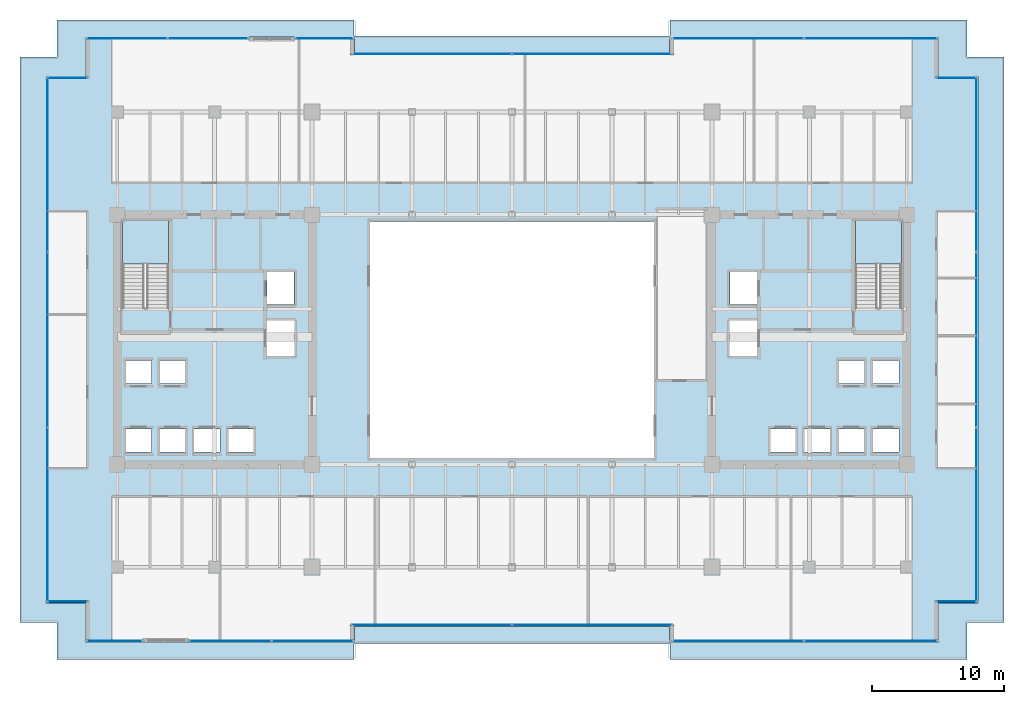
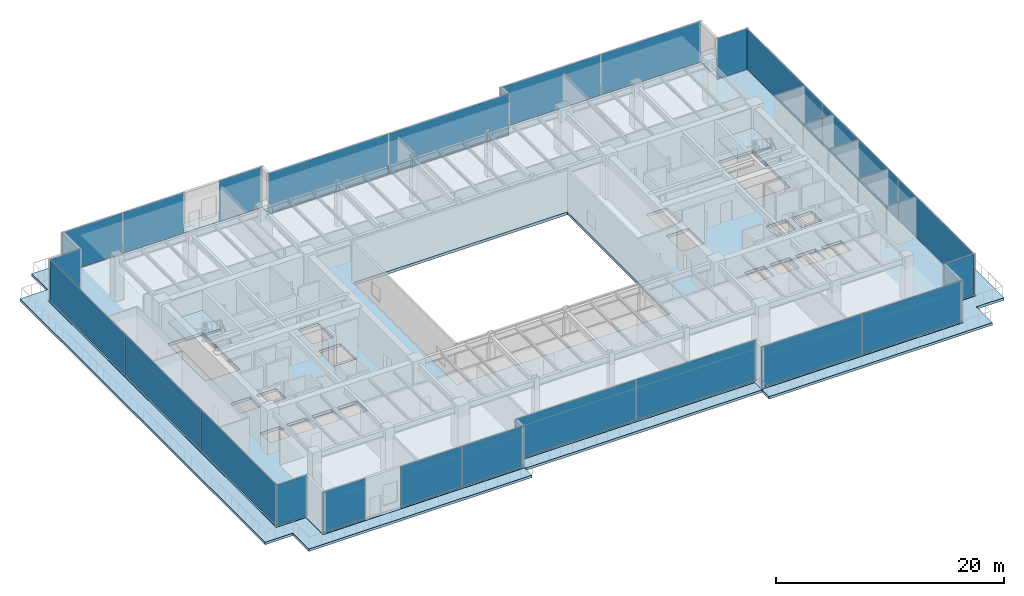
# One storey, part 24 of 33: 24 plates, 4 slabs, 16 elements without a shape of their own.
"""IFC4 building model written with IfcOpenShell, lengths in metres."""

from ifc_helpers import new_model, si_unit, direction, frame, origin, origin_2d, place, context, subcontext, project, spatial, polyline, rectangle, outline, extrude, source, transform, mapped, material, layer, layer_set, type_object, type_shapes, element, aggregate, save


model = new_model("IFC4")

# Units and contexts
model_context = context("Model", 3, precision=1e-05, world=origin(), true_north=direction((0.0, 1.0)))
body_context = subcontext(model_context, "Body", "Model", "MODEL_VIEW")
ifc_project = project(units=[si_unit("LENGTHUNIT", "METRE"), si_unit("AREAUNIT", "SQUARE_METRE"), si_unit("VOLUMEUNIT", "CUBIC_METRE"), si_unit("PLANEANGLEUNIT", "RADIAN"), si_unit("MASSUNIT", "GRAM", prefix="KILO")], contexts=[model_context])

# Site, building, storey
site_placement = place(None, origin())
site = spatial("IfcSite", under=ifc_project, at=site_placement, CompositionType="ELEMENT")
building_placement = place(site_placement, origin())
building = spatial("IfcBuilding", under=site, at=building_placement, Name="Haelvirn Gate Laboratories", CompositionType="ELEMENT")
storey_placement = place(building_placement, frame((0.0, 0.0, 100.300048828125)))
storey = spatial("IfcBuildingStorey", under=building, at=storey_placement, Name="L24", CompositionType="ELEMENT", Elevation=100.300048828125)

# Slab
ifc_material_1 = material(Name="Concrete C40/50", Category="concrete")
ifc_layer_1 = layer(ifc_material_1, 0.27001953125, Name="SL-SETB-270")
ifc_layer_set_1 = layer_set([ifc_layer_1], Name="Concrete C40/50")
slab_type_1 = type_object("IfcSlabType", Name="SL-SETB-270", PredefinedType="ROOF", material=ifc_layer_set_1)
slab_1_placement = place(storey_placement, frame((0.0, 0.0, -0.27001953125)))
element("IfcSlab", 1, at=slab_1_placement, inside=storey, type_object=slab_type_1, Name="L24 Setback Roof Terrace Deck 1", PredefinedType="ROOF", context=body_context, shape_type="SweptSolid", body=[
    extrude(outline(polyline([(2.800048828125, 2.800048828125), (0.0, 2.800048828125), (0.0, 45.800048828125), (2.800048828125, 45.800048828125), (2.800048828125, 48.60009765625), (25.39990234375, 48.60009765625), (25.39990234375, 47.39990234375), (49.39990234375, 47.39990234375), (49.39990234375, 48.60009765625), (72.0, 48.60009765625), (72.0, 45.800048828125), (74.800048828125, 45.800048828125), (74.800048828125, 2.800048828125), (72.0, 2.800048828125), (72.0, 0.0), (49.39990234375, 0.0), (49.39990234375, 1.199951171875), (25.39990234375, 1.199951171875), (25.39990234375, 0.0), (2.800048828125, 0.0), (2.800048828125, 2.800048828125)]), holes=[polyline([(4.97998046875, 1.298095703125), (4.98046875, 1.296142578125), (4.98095703125, 1.294189453125), (4.9814453125, 1.292236328125), (4.982421875, 1.29052734375), (4.9833984375, 1.288818359375), (4.984619140625, 1.287353515625), (4.98583984375, 1.285888671875), (4.9873046875, 1.284423828125), (4.989013671875, 1.283447265625), (4.990478515625, 1.282470703125), (4.9921875, 1.281494140625), (4.994140625, 1.281005859375), (4.99609375, 1.280517578125), (4.998046875, 1.280029296875), (5.0, 1.280029296875), (25.39990234375, 1.280029296875), (25.402099609375, 1.280029296875), (25.40380859375, 1.280517578125), (25.40576171875, 1.281005859375), (25.40771484375, 1.281494140625), (25.409423828125, 1.282470703125), (25.4111328125, 1.283447265625), (25.41259765625, 1.284423828125), (25.4140625, 1.285888671875), (25.41552734375, 1.287353515625), (25.41650390625, 1.288818359375), (25.41748046875, 1.29052734375), (25.41845703125, 1.292236328125), (25.419189453125, 1.294189453125), (25.419677734375, 1.296142578125), (25.419921875, 1.298095703125), (25.419921875, 1.300048828125), (25.419921875, 2.47998046875), (49.3798828125, 2.47998046875), (49.3798828125, 1.300048828125), (49.380126953125, 1.298095703125), (49.38037109375, 1.296142578125), (49.380859375, 1.294189453125), (49.381591796875, 1.292236328125), (49.38232421875, 1.29052734375), (49.38330078125, 1.288818359375), (49.384521484375, 1.287353515625), (49.385986328125, 1.285888671875), (49.38720703125, 1.284423828125), (49.388916015625, 1.283447265625), (49.390625, 1.282470703125), (49.392333984375, 1.281494140625), (49.394287109375, 1.281005859375), (49.39599609375, 1.280517578125), (49.39794921875, 1.280029296875), (49.39990234375, 1.280029296875), (69.800048828125, 1.280029296875), (69.802001953125, 1.280029296875), (69.803955078125, 1.280517578125), (69.805908203125, 1.281005859375), (69.8076171875, 1.281494140625), (69.809326171875, 1.282470703125), (69.81103515625, 1.283447265625), (69.812744140625, 1.284423828125), (69.814208984375, 1.285888671875), (69.8154296875, 1.287353515625), (69.816650390625, 1.288818359375), (69.817626953125, 1.29052734375), (69.818603515625, 1.292236328125), (69.819091796875, 1.294189453125), (69.819580078125, 1.296142578125), (69.81982421875, 1.298095703125), (69.820068359375, 1.300048828125), (69.820068359375, 4.280029296875), (72.800048828125, 4.280029296875), (72.802001953125, 4.280029296875), (72.803955078125, 4.280517578125), (72.805908203125, 4.281005859375), (72.8076171875, 4.281494140625), (72.809326171875, 4.282470703125), (72.81103515625, 4.283447265625), (72.812744140625, 4.284423828125), (72.814208984375, 4.285888671875), (72.8154296875, 4.287353515625), (72.816650390625, 4.288818359375), (72.817626953125, 4.29052734375), (72.818603515625, 4.292236328125), (72.819091796875, 4.294189453125), (72.819580078125, 4.296142578125), (72.81982421875, 4.298095703125), (72.820068359375, 4.300048828125), (72.820068359375, 44.300048828125), (72.81982421875, 44.302001953125), (72.819580078125, 44.303955078125), (72.819091796875, 44.305908203125), (72.818603515625, 44.3076171875), (72.817626953125, 44.309326171875), (72.816650390625, 44.31103515625), (72.8154296875, 44.312744140625), (72.814208984375, 44.314208984375), (72.812744140625, 44.3154296875), (72.81103515625, 44.316650390625), (72.809326171875, 44.317626953125), (72.8076171875, 44.318603515625), (72.805908203125, 44.319091796875), (72.803955078125, 44.319580078125), (72.802001953125, 44.31982421875), (72.800048828125, 44.320068359375), (69.820068359375, 44.320068359375), (69.820068359375, 47.300048828125), (69.81982421875, 47.302001953125), (69.819580078125, 47.303955078125), (69.819091796875, 47.305908203125), (69.818603515625, 47.3076171875), (69.817626953125, 47.309326171875), (69.816650390625, 47.31103515625), (69.8154296875, 47.312744140625), (69.814208984375, 47.314208984375), (69.812744140625, 47.3154296875), (69.81103515625, 47.316650390625), (69.809326171875, 47.317626953125), (69.8076171875, 47.318603515625), (69.805908203125, 47.319091796875), (69.803955078125, 47.319580078125), (69.802001953125, 47.31982421875), (69.800048828125, 47.320068359375), (49.39990234375, 47.320068359375), (49.39794921875, 47.31982421875), (49.39599609375, 47.319580078125), (49.394287109375, 47.319091796875), (49.392333984375, 47.318603515625), (49.390625, 47.317626953125), (49.388916015625, 47.316650390625), (49.38720703125, 47.3154296875), (49.385986328125, 47.314208984375), (49.384521484375, 47.312744140625), (49.38330078125, 47.31103515625), (49.38232421875, 47.309326171875), (49.381591796875, 47.3076171875), (49.380859375, 47.305908203125), (49.38037109375, 47.303955078125), (49.380126953125, 47.302001953125), (49.3798828125, 47.300048828125), (49.3798828125, 46.1201171875), (25.419921875, 46.1201171875), (25.419921875, 47.300048828125), (25.419921875, 47.302001953125), (25.419677734375, 47.303955078125), (25.419189453125, 47.305908203125), (25.41845703125, 47.3076171875), (25.41748046875, 47.309326171875), (25.41650390625, 47.31103515625), (25.41552734375, 47.312744140625), (25.4140625, 47.314208984375), (25.41259765625, 47.3154296875), (25.4111328125, 47.316650390625), (25.409423828125, 47.317626953125), (25.40771484375, 47.318603515625), (25.40576171875, 47.319091796875), (25.40380859375, 47.319580078125), (25.402099609375, 47.31982421875), (25.39990234375, 47.320068359375), (5.0, 47.320068359375), (4.998046875, 47.31982421875), (4.99609375, 47.319580078125), (4.994140625, 47.319091796875), (4.9921875, 47.318603515625), (4.990478515625, 47.317626953125), (4.989013671875, 47.316650390625), (4.9873046875, 47.3154296875), (4.98583984375, 47.314208984375), (4.984619140625, 47.312744140625), (4.9833984375, 47.31103515625), (4.982421875, 47.309326171875), (4.9814453125, 47.3076171875), (4.98095703125, 47.305908203125), (4.98046875, 47.303955078125), (4.97998046875, 47.302001953125), (4.97998046875, 47.300048828125), (4.97998046875, 44.320068359375), (2.0, 44.320068359375), (1.998046875, 44.31982421875), (1.99609375, 44.319580078125), (1.994140625, 44.319091796875), (1.9921875, 44.318603515625), (1.990478515625, 44.317626953125), (1.989013671875, 44.316650390625), (1.9873046875, 44.3154296875), (1.98583984375, 44.314208984375), (1.984619140625, 44.312744140625), (1.9833984375, 44.31103515625), (1.982421875, 44.309326171875), (1.9814453125, 44.3076171875), (1.98095703125, 44.305908203125), (1.98046875, 44.303955078125), (1.97998046875, 44.302001953125), (1.97998046875, 44.300048828125), (1.97998046875, 4.300048828125), (1.97998046875, 4.298095703125), (1.98046875, 4.296142578125), (1.98095703125, 4.294189453125), (1.9814453125, 4.292236328125), (1.982421875, 4.29052734375), (1.9833984375, 4.288818359375), (1.984619140625, 4.287353515625), (1.98583984375, 4.285888671875), (1.9873046875, 4.284423828125), (1.989013671875, 4.283447265625), (1.990478515625, 4.282470703125), (1.9921875, 4.281494140625), (1.994140625, 4.281005859375), (1.99609375, 4.280517578125), (1.998046875, 4.280029296875), (2.0, 4.280029296875), (4.97998046875, 4.280029296875), (4.97998046875, 1.300048828125), (4.97998046875, 1.298095703125)])]), origin(), (0.0, 0.0, 1.0), 0.27001953125),
])

# Stair, slab
stair_type = type_object("IfcStairType", Name="ST-DOG-1650-R26", PredefinedType="HALF_TURN_STAIR", material=ifc_material_1)
stair_1_placement = place(storey_placement, origin())
stair_1 = element("IfcStair", 2, at=stair_1_placement, inside=storey, type_object=stair_type, Name="L24 Escape Stair ST1", PredefinedType="HALF_TURN_STAIR")
ifc_layer_2 = layer(ifc_material_1, 0.199951171875, Name="SL-STAIR-LND")
ifc_layer_set_2 = layer_set([ifc_layer_2], Name="Concrete C40/50")
slab_type_2 = type_object("IfcSlabType", Name="SL-STAIR-LND", PredefinedType="LANDING", material=ifc_layer_set_2)
slab_2_placement = place(storey_placement, frame((0.0, 0.0, 2.199951171875)))
slab_2 = element("IfcSlab", 3, at=slab_2_placement, type_object=slab_type_2, Name="ST1 landing 1", PredefinedType="LANDING", context=body_context, shape_type="SweptSolid", body=[
    extrude(outline(polyline([(11.300048828125, 30.06005859375), (11.300048828125, 33.35009765625), (7.800048828125, 33.35009765625), (7.800048828125, 30.06005859375), (11.300048828125, 30.06005859375)])), origin(), (0.0, 0.0, 1.0), 0.199951171875),
])
aggregate(stair_1, [slab_2])

stair_2_placement = place(storey_placement, origin())
stair_2 = element("IfcStair", 4, at=stair_2_placement, inside=storey, type_object=stair_type, Name="L24 Escape Stair ST2", PredefinedType="HALF_TURN_STAIR")
slab_3_placement = place(storey_placement, frame((0.0, 0.0, 2.199951171875)))
slab_3 = element("IfcSlab", 5, at=slab_3_placement, type_object=slab_type_2, Name="ST2 landing 1", PredefinedType="LANDING", context=body_context, shape_type="SweptSolid", body=[
    extrude(outline(polyline([(67.0, 30.06005859375), (67.0, 33.35009765625), (63.5, 33.35009765625), (63.5, 30.06005859375), (67.0, 30.06005859375)])), origin(), (0.0, 0.0, 1.0), 0.199951171875),
])
aggregate(stair_2, [slab_3])

# Slab
ifc_layer_3 = layer(ifc_material_1, 0.31005859375, Name="SL-Z2-310")
ifc_layer_set_3 = layer_set([ifc_layer_3], Name="Concrete C40/50")
slab_type_3 = type_object("IfcSlabType", Name="SL-Z2-310", PredefinedType="FLOOR", material=ifc_layer_set_3)
slab_4_placement = place(storey_placement, frame((0.0, 0.0, -0.31005859375)))
element("IfcSlab", 6, at=slab_4_placement, inside=storey, type_object=slab_type_3, Name="L24 Structural Slab MAIN", PredefinedType="FLOOR", context=body_context, shape_type="SweptSolid", body=[
    extrude(outline(polyline([(5.0, 1.300048828125), (25.39990234375, 1.300048828125), (25.39990234375, 2.5), (49.39990234375, 2.5), (49.39990234375, 1.300048828125), (69.800048828125, 1.300048828125), (69.800048828125, 4.300048828125), (72.800048828125, 4.300048828125), (72.800048828125, 44.300048828125), (69.800048828125, 44.300048828125), (69.800048828125, 47.300048828125), (49.39990234375, 47.300048828125), (49.39990234375, 46.10009765625), (25.39990234375, 46.10009765625), (25.39990234375, 47.300048828125), (5.0, 47.300048828125), (5.0, 44.300048828125), (2.0, 44.300048828125), (2.0, 4.300048828125), (5.0, 4.300048828125), (5.0, 1.300048828125)]), holes=[polyline([(26.60009765625, 15.300048828125), (48.199951171875, 15.300048828125), (48.199951171875, 33.300048828125), (26.60009765625, 33.300048828125), (26.60009765625, 15.300048828125)]), polyline([(11.300048828125, 26.780029296875), (11.300048828125, 33.35009765625), (7.800048828125, 33.35009765625), (7.800048828125, 26.780029296875), (11.300048828125, 26.780029296875)]), polyline([(67.0, 26.780029296875), (67.0, 33.35009765625), (63.5, 33.35009765625), (63.5, 26.780029296875), (67.0, 26.780029296875)]), polyline([(7.989990234375, 15.77001953125), (10.010009765625, 15.77001953125), (10.010009765625, 17.510009765625), (7.989990234375, 17.510009765625), (7.989990234375, 15.77001953125)]), polyline([(10.590087890625, 15.77001953125), (12.610107421875, 15.77001953125), (12.610107421875, 17.510009765625), (10.590087890625, 17.510009765625), (10.590087890625, 15.77001953125)]), polyline([(13.18994140625, 15.77001953125), (15.2099609375, 15.77001953125), (15.2099609375, 17.510009765625), (13.18994140625, 17.510009765625), (13.18994140625, 15.77001953125)]), polyline([(15.7900390625, 15.77001953125), (17.81005859375, 15.77001953125), (17.81005859375, 17.510009765625), (15.7900390625, 17.510009765625), (15.7900390625, 15.77001953125)]), polyline([(7.989990234375, 20.969970703125), (10.010009765625, 20.969970703125), (10.010009765625, 22.7099609375), (7.989990234375, 22.7099609375), (7.989990234375, 20.969970703125)]), polyline([(10.590087890625, 20.969970703125), (12.610107421875, 20.969970703125), (12.610107421875, 22.7099609375), (10.590087890625, 22.7099609375), (10.590087890625, 20.969970703125)]), polyline([(18.7900390625, 26.969970703125), (20.81005859375, 26.969970703125), (20.81005859375, 29.510009765625), (18.7900390625, 29.510009765625), (18.7900390625, 26.969970703125)]), polyline([(18.68994140625, 23.070068359375), (20.909912109375, 23.070068359375), (20.909912109375, 25.81005859375), (18.68994140625, 25.81005859375), (18.68994140625, 23.070068359375)]), polyline([(64.7900390625, 15.77001953125), (66.81005859375, 15.77001953125), (66.81005859375, 17.510009765625), (64.7900390625, 17.510009765625), (64.7900390625, 15.77001953125)]), polyline([(62.18994140625, 15.77001953125), (64.2099609375, 15.77001953125), (64.2099609375, 17.510009765625), (62.18994140625, 17.510009765625), (62.18994140625, 15.77001953125)]), polyline([(59.590087890625, 15.77001953125), (61.610107421875, 15.77001953125), (61.610107421875, 17.510009765625), (59.590087890625, 17.510009765625), (59.590087890625, 15.77001953125)]), polyline([(56.989990234375, 15.77001953125), (59.010009765625, 15.77001953125), (59.010009765625, 17.510009765625), (56.989990234375, 17.510009765625), (56.989990234375, 15.77001953125)]), polyline([(64.7900390625, 20.969970703125), (66.81005859375, 20.969970703125), (66.81005859375, 22.7099609375), (64.7900390625, 22.7099609375), (64.7900390625, 20.969970703125)]), polyline([(62.18994140625, 20.969970703125), (64.2099609375, 20.969970703125), (64.2099609375, 22.7099609375), (62.18994140625, 22.7099609375), (62.18994140625, 20.969970703125)]), polyline([(53.989990234375, 26.969970703125), (56.010009765625, 26.969970703125), (56.010009765625, 29.510009765625), (53.989990234375, 29.510009765625), (53.989990234375, 26.969970703125)]), polyline([(53.889892578125, 23.070068359375), (56.110107421875, 23.070068359375), (56.110107421875, 25.81005859375), (53.889892578125, 25.81005859375), (53.889892578125, 23.070068359375)])]), origin(), (0.0, 0.0, 1.0), 0.31005859375),
])

# Curtain wall, plate
ifc_material_2 = material(Name="Anodised bronze unitised aluminium & triple low-E glass", Category="aluminium")
ifc_layer_4 = layer(ifc_material_2, 0.179931640625, Name="CW-SYS-3")
ifc_layer_set_4 = layer_set([ifc_layer_4], Name="Anodised bronze unitised aluminium & triple low-E glass")
curtain_wall_type_1 = type_object("IfcCurtainWallType", Name="CW-SYS-3", PredefinedType="NOTDEFINED", material=ifc_layer_set_4)
curtain_wall_1_placement = place(storey_placement, origin())
curtain_wall_1 = element("IfcCurtainWall", 7, at=curtain_wall_1_placement, inside=storey, type_object=curtain_wall_type_1, Name="L24 Unitised Curtain Wall CW-L24-P0-E00-1", PredefinedType="NOTDEFINED")
ifc_material_3 = material(Name="High-selectivity bronze triple IGU 40 mm", Category="glass")
ifc_layer_5 = layer(ifc_material_3, 0.0400390625, Name="CWP-IGU-40")
ifc_layer_set_5 = layer_set([ifc_layer_5], Name="High-selectivity bronze triple IGU 40 mm")
plate_type_1 = type_object("IfcPlateType", Name="CWP-IGU-40", PredefinedType="CURTAIN_PANEL", material=ifc_layer_set_5)
shared_shape_1 = source(origin(), body_context, "Body", "SweptSolid", [
    extrude(rectangle(XDim=4.219970703125, YDim=0.0400390625, at=origin_2d()), origin(), (0.0, 0.0, 1.0), 4.360107421875),
])
plate_1_placement = place(storey_placement, frame((7.18505859375, 1.39990234375, 0.06494140625), z_axis=(0.0, 0.0, 1.0), x_axis=(1.0, 0.0, 0.0)))
plate_1 = element("IfcPlate", 8, at=plate_1_placement, type_object=plate_type_1, Name="CW3 panel 1.1", PredefinedType="CURTAIN_PANEL", context=body_context, shape_type="MappedRepresentation", body=[
    mapped(shared_shape_1, transform((0.0, 0.0, 0.0), scale=1.0)),
])
aggregate(curtain_wall_1, [plate_1])

# Curtain wall, plates
curtain_wall_2_placement = place(storey_placement, origin())
curtain_wall_2 = element("IfcCurtainWall", 9, at=curtain_wall_2_placement, inside=storey, type_object=curtain_wall_type_1, Name="L24 Unitised Curtain Wall CW-L24-P0-E00-2", PredefinedType="NOTDEFINED")
shared_shape_2 = source(origin(), body_context, "Body", "SweptSolid", [
    extrude(rectangle(XDim=6.1826171875, YDim=0.0400390625, at=origin_2d()), origin(), (0.0, 0.0, 1.0), 4.360107421875),
])
plate_2_placement = place(storey_placement, frame((15.976318359375, 1.39990234375, 0.06494140625), z_axis=(0.0, 0.0, 1.0), x_axis=(1.0, 0.0, 0.0)))
plate_2 = element("IfcPlate", 10, at=plate_2_placement, type_object=plate_type_1, Name="CW3 panel 1.1", PredefinedType="CURTAIN_PANEL", context=body_context, shape_type="MappedRepresentation", body=[
    mapped(shared_shape_2, transform((0.0, 0.0, 0.0), scale=1.0)),
])
plate_3_placement = place(storey_placement, frame((22.233642578125, 1.39990234375, 0.06494140625), z_axis=(0.0, 0.0, 1.0), x_axis=(1.0, 0.0, 0.0)))
plate_3 = element("IfcPlate", 11, at=plate_3_placement, type_object=plate_type_1, Name="CW3 panel 2.1", PredefinedType="CURTAIN_PANEL", context=body_context, shape_type="MappedRepresentation", body=[
    mapped(shared_shape_2, transform((0.0, 0.0, 0.0), scale=1.0)),
])
aggregate(curtain_wall_2, [plate_2, plate_3])

curtain_wall_3_placement = place(storey_placement, origin())
curtain_wall_3 = element("IfcCurtainWall", 12, at=curtain_wall_3_placement, inside=storey, type_object=curtain_wall_type_1, Name="L24 Unitised Curtain Wall CW-L24-P0-E02-1", PredefinedType="NOTDEFINED")
shared_shape_3 = source(origin(), body_context, "Body", "SweptSolid", [
    extrude(rectangle(XDim=12.12744140625, YDim=0.0400390625, at=origin_2d()), origin(), (0.0, 0.0, 1.0), 4.360107421875),
])
plate_4_placement = place(storey_placement, frame((31.298828125, 2.60009765625, 0.06494140625), z_axis=(0.0, 0.0, 1.0), x_axis=(1.0, 0.0, 0.0)))
plate_4 = element("IfcPlate", 13, at=plate_4_placement, type_object=plate_type_1, Name="CW3 panel 1.1", PredefinedType="CURTAIN_PANEL", context=body_context, shape_type="MappedRepresentation", body=[
    mapped(shared_shape_3, transform((0.0, 0.0, 0.0), scale=1.0)),
])
plate_5_placement = place(storey_placement, frame((43.501220703125, 2.60009765625, 0.06494140625), z_axis=(0.0, 0.0, 1.0), x_axis=(1.0, 0.0, 0.0)))
plate_5 = element("IfcPlate", 14, at=plate_5_placement, type_object=plate_type_1, Name="CW3 panel 2.1", PredefinedType="CURTAIN_PANEL", context=body_context, shape_type="MappedRepresentation", body=[
    mapped(shared_shape_3, transform((0.0, 0.0, 0.0), scale=1.0)),
])
aggregate(curtain_wall_3, [plate_4, plate_5])

curtain_wall_4_placement = place(storey_placement, origin())
curtain_wall_4 = element("IfcCurtainWall", 15, at=curtain_wall_4_placement, inside=storey, type_object=curtain_wall_type_1, Name="L24 Unitised Curtain Wall CW-L24-P0-E12-1", PredefinedType="NOTDEFINED")
plate_6_placement = place(storey_placement, frame((31.298828125, 46.0, 0.06494140625), z_axis=(0.0, 0.0, 1.0), x_axis=(1.0, 0.0, 0.0)))
plate_6 = element("IfcPlate", 16, at=plate_6_placement, type_object=plate_type_1, Name="CW3 panel 1.1", PredefinedType="CURTAIN_PANEL", context=body_context, shape_type="MappedRepresentation", body=[
    mapped(shared_shape_3, transform((0.0, 0.0, 0.0), scale=1.0)),
])
plate_7_placement = place(storey_placement, frame((43.501220703125, 46.0, 0.06494140625), z_axis=(0.0, 0.0, 1.0), x_axis=(1.0, 0.0, 0.0)))
plate_7 = element("IfcPlate", 17, at=plate_7_placement, type_object=plate_type_1, Name="CW3 panel 2.1", PredefinedType="CURTAIN_PANEL", context=body_context, shape_type="MappedRepresentation", body=[
    mapped(shared_shape_3, transform((0.0, 0.0, 0.0), scale=1.0)),
])
aggregate(curtain_wall_4, [plate_6, plate_7])

curtain_wall_5_placement = place(storey_placement, origin())
curtain_wall_5 = element("IfcCurtainWall", 18, at=curtain_wall_5_placement, inside=storey, type_object=curtain_wall_type_1, Name="L24 Unitised Curtain Wall CW-L24-P0-E04-1", PredefinedType="NOTDEFINED")
shared_shape_4 = source(origin(), body_context, "Body", "SweptSolid", [
    extrude(rectangle(XDim=10.08740234375, YDim=0.0400390625, at=origin_2d()), origin(), (0.0, 0.0, 1.0), 4.360107421875),
])
plate_8_placement = place(storey_placement, frame((54.518798828125, 1.39990234375, 0.06494140625), z_axis=(0.0, 0.0, 1.0), x_axis=(1.0, 0.0, 0.0)))
plate_8 = element("IfcPlate", 19, at=plate_8_placement, type_object=plate_type_1, Name="CW3 panel 1.1", PredefinedType="CURTAIN_PANEL", context=body_context, shape_type="MappedRepresentation", body=[
    mapped(shared_shape_4, transform((0.0, 0.0, 0.0), scale=1.0)),
])
plate_9_placement = place(storey_placement, frame((64.68115234375, 1.39990234375, 0.06494140625), z_axis=(0.0, 0.0, 1.0), x_axis=(1.0, 0.0, 0.0)))
plate_9 = element("IfcPlate", 20, at=plate_9_placement, type_object=plate_type_1, Name="CW3 panel 2.1", PredefinedType="CURTAIN_PANEL", context=body_context, shape_type="MappedRepresentation", body=[
    mapped(shared_shape_4, transform((0.0, 0.0, 0.0), scale=1.0)),
])
aggregate(curtain_wall_5, [plate_8, plate_9])

curtain_wall_6_placement = place(storey_placement, origin())
curtain_wall_6 = element("IfcCurtainWall", 21, at=curtain_wall_6_placement, inside=storey, type_object=curtain_wall_type_1, Name="L24 Unitised Curtain Wall CW-L24-P0-E10-1", PredefinedType="NOTDEFINED")
plate_10_placement = place(storey_placement, frame((54.518798828125, 47.199951171875, 0.06494140625), z_axis=(0.0, 0.0, 1.0), x_axis=(1.0, 0.0, 0.0)))
plate_10 = element("IfcPlate", 22, at=plate_10_placement, type_object=plate_type_1, Name="CW3 panel 1.1", PredefinedType="CURTAIN_PANEL", context=body_context, shape_type="MappedRepresentation", body=[
    mapped(shared_shape_4, transform((0.0, 0.0, 0.0), scale=1.0)),
])
plate_11_placement = place(storey_placement, frame((64.68115234375, 47.199951171875, 0.06494140625), z_axis=(0.0, 0.0, 1.0), x_axis=(1.0, 0.0, 0.0)))
plate_11 = element("IfcPlate", 23, at=plate_11_placement, type_object=plate_type_1, Name="CW3 panel 2.1", PredefinedType="CURTAIN_PANEL", context=body_context, shape_type="MappedRepresentation", body=[
    mapped(shared_shape_4, transform((0.0, 0.0, 0.0), scale=1.0)),
])
aggregate(curtain_wall_6, [plate_10, plate_11])

# Curtain wall, plate
ifc_layer_6 = layer(ifc_material_2, 0.181884765625, Name="CW-SYS-5")
ifc_layer_set_6 = layer_set([ifc_layer_6], Name="Anodised bronze unitised aluminium & triple low-E glass")
curtain_wall_type_2 = type_object("IfcCurtainWallType", Name="CW-SYS-5", PredefinedType="NOTDEFINED", material=ifc_layer_set_6)
curtain_wall_7_placement = place(storey_placement, origin())
curtain_wall_7 = element("IfcCurtainWall", 24, at=curtain_wall_7_placement, inside=storey, type_object=curtain_wall_type_2, Name="L24 Unitised Curtain Wall CW-L24-P0-E06-1", PredefinedType="NOTDEFINED")
ifc_material_4 = material(Name="Clear low-iron notched-corner triple IGU 42 mm", Category="glass")
ifc_layer_7 = layer(ifc_material_4, 0.0419921875, Name="CWP-NTC-42")
ifc_layer_set_7 = layer_set([ifc_layer_7], Name="Clear low-iron notched-corner triple IGU 42 mm")
plate_type_2 = type_object("IfcPlateType", Name="CWP-NTC-42", PredefinedType="CURTAIN_PANEL", material=ifc_layer_set_7)
shared_shape_5 = source(origin(), body_context, "Body", "SweptSolid", [
    extrude(rectangle(XDim=3.080078125, YDim=0.0419921875, at=origin_2d()), origin(), (0.0, 0.0, 1.0), 4.360107421875),
])
type_shapes(plate_type_2, [shared_shape_5])
plate_12_placement = place(storey_placement, frame((71.179931640625, 4.39990234375, 0.06494140625), z_axis=(0.0, 0.0, 1.0), x_axis=(1.0, 0.0, 0.0)))
plate_12 = element("IfcPlate", 25, at=plate_12_placement, type_object=plate_type_2, Name="CW5 panel 1.1", PredefinedType="CURTAIN_PANEL", context=body_context, shape_type="MappedRepresentation", body=[
    mapped(shared_shape_5, transform((0.0, 0.0, 0.0), scale=1.0)),
])
aggregate(curtain_wall_7, [plate_12])

curtain_wall_8_placement = place(storey_placement, origin())
curtain_wall_8 = element("IfcCurtainWall", 26, at=curtain_wall_8_placement, inside=storey, type_object=curtain_wall_type_2, Name="L24 Unitised Curtain Wall CW-L24-P0-E08-1", PredefinedType="NOTDEFINED")
plate_13_placement = place(storey_placement, frame((71.179931640625, 44.199951171875, 0.06494140625), z_axis=(0.0, 0.0, 1.0), x_axis=(1.0, 0.0, 0.0)))
plate_13 = element("IfcPlate", 27, at=plate_13_placement, type_object=plate_type_2, Name="CW5 panel 1.1", PredefinedType="CURTAIN_PANEL", context=body_context, shape_type="MappedRepresentation", body=[
    mapped(shared_shape_5, transform((0.0, 0.0, 0.0), scale=1.0)),
])
aggregate(curtain_wall_8, [plate_13])

curtain_wall_9_placement = place(storey_placement, origin())
curtain_wall_9 = element("IfcCurtainWall", 28, at=curtain_wall_9_placement, inside=storey, type_object=curtain_wall_type_2, Name="L24 Unitised Curtain Wall CW-L24-P0-E16-1", PredefinedType="NOTDEFINED")
plate_14_placement = place(storey_placement, frame((3.6201171875, 44.199951171875, 0.06494140625), z_axis=(0.0, 0.0, 1.0), x_axis=(1.0, 0.0, 0.0)))
plate_14 = element("IfcPlate", 29, at=plate_14_placement, type_object=plate_type_2, Name="CW5 panel 1.1", PredefinedType="CURTAIN_PANEL", context=body_context, shape_type="MappedRepresentation", body=[
    mapped(shared_shape_5, transform((0.0, 0.0, 0.0), scale=1.0)),
])
aggregate(curtain_wall_9, [plate_14])

curtain_wall_10_placement = place(storey_placement, origin())
curtain_wall_10 = element("IfcCurtainWall", 30, at=curtain_wall_10_placement, inside=storey, type_object=curtain_wall_type_2, Name="L24 Unitised Curtain Wall CW-L24-P0-E18-1", PredefinedType="NOTDEFINED")
plate_15_placement = place(storey_placement, frame((3.6201171875, 4.39990234375, 0.06494140625), z_axis=(0.0, 0.0, 1.0), x_axis=(1.0, 0.0, 0.0)))
plate_15 = element("IfcPlate", 31, at=plate_15_placement, type_object=plate_type_2, Name="CW5 panel 1.1", PredefinedType="CURTAIN_PANEL", context=body_context, shape_type="MappedRepresentation", body=[
    mapped(shared_shape_5, transform((0.0, 0.0, 0.0), scale=1.0)),
])
aggregate(curtain_wall_10, [plate_15])

# Curtain wall, plates
curtain_wall_11_placement = place(storey_placement, origin())
curtain_wall_11 = element("IfcCurtainWall", 32, at=curtain_wall_11_placement, inside=storey, type_object=curtain_wall_type_1, Name="L24 Unitised Curtain Wall CW-L24-P0-E07", PredefinedType="NOTDEFINED")
shared_shape_6 = source(origin(), body_context, "Body", "SweptSolid", [
    extrude(rectangle(XDim=13.220947265625, YDim=0.0400390625, at=origin_2d()), origin(), (0.0, 0.0, 1.0), 4.360107421875),
])
plate_16_placement = place(storey_placement, frame((72.699951171875, 10.9853515625, 0.06494140625), z_axis=(0.0, 0.0, 1.0), x_axis=(0.0, 1.0, 0.0)))
plate_16 = element("IfcPlate", 33, at=plate_16_placement, type_object=plate_type_1, Name="CW3 panel 1.1", PredefinedType="CURTAIN_PANEL", context=body_context, shape_type="MappedRepresentation", body=[
    mapped(shared_shape_6, transform((0.0, 0.0, 0.0), scale=1.0)),
])
plate_17_placement = place(storey_placement, frame((72.699951171875, 37.614501953125, 0.06494140625), z_axis=(0.0, 0.0, 1.0), x_axis=(0.0, 1.0, 0.0)))
plate_17 = element("IfcPlate", 34, at=plate_17_placement, type_object=plate_type_1, Name="CW3 panel 3.1", PredefinedType="CURTAIN_PANEL", context=body_context, shape_type="MappedRepresentation", body=[
    mapped(shared_shape_6, transform((0.0, 0.0, 0.0), scale=1.0)),
])

curtain_wall_12_placement = place(storey_placement, origin())
curtain_wall_12 = element("IfcCurtainWall", 35, at=curtain_wall_12_placement, inside=storey, type_object=curtain_wall_type_1, Name="L24 Unitised Curtain Wall CW-L24-P0-E17", PredefinedType="NOTDEFINED")
plate_18_placement = place(storey_placement, frame((2.10009765625, 37.614501953125, 0.06494140625), z_axis=(0.0, 0.0, 1.0), x_axis=(0.0, -1.0, 0.0)))
plate_18 = element("IfcPlate", 36, at=plate_18_placement, type_object=plate_type_1, Name="CW3 panel 1.1", PredefinedType="CURTAIN_PANEL", context=body_context, shape_type="MappedRepresentation", body=[
    mapped(shared_shape_6, transform((0.0, 0.0, 0.0), scale=1.0)),
])
plate_19_placement = place(storey_placement, frame((2.10009765625, 10.9853515625, 0.06494140625), z_axis=(0.0, 0.0, 1.0), x_axis=(0.0, -1.0, 0.0)))
plate_19 = element("IfcPlate", 37, at=plate_19_placement, type_object=plate_type_1, Name="CW3 panel 3.1", PredefinedType="CURTAIN_PANEL", context=body_context, shape_type="MappedRepresentation", body=[
    mapped(shared_shape_6, transform((0.0, 0.0, 0.0), scale=1.0)),
])

# Plate
shared_shape_7 = source(origin(), body_context, "Body", "SweptSolid", [
    extrude(rectangle(XDim=13.25830078125, YDim=0.0400390625, at=origin_2d()), origin(), (0.0, 0.0, 1.0), 4.360107421875),
])
plate_20_placement = place(storey_placement, frame((72.699951171875, 24.300048828125, 0.06494140625), z_axis=(0.0, 0.0, 1.0), x_axis=(0.0, 1.0, 0.0)))
plate_20 = element("IfcPlate", 38, at=plate_20_placement, type_object=plate_type_1, Name="CW3 panel 2.1", PredefinedType="CURTAIN_PANEL", context=body_context, shape_type="MappedRepresentation", body=[
    mapped(shared_shape_7, transform((0.0, 0.0, 0.0), scale=1.0)),
])

aggregate(curtain_wall_11, [plate_16, plate_20, plate_17])

plate_21_placement = place(storey_placement, frame((2.10009765625, 24.300048828125, 0.06494140625), z_axis=(0.0, 0.0, 1.0), x_axis=(0.0, -1.0, 0.0)))
plate_21 = element("IfcPlate", 39, at=plate_21_placement, type_object=plate_type_1, Name="CW3 panel 2.1", PredefinedType="CURTAIN_PANEL", context=body_context, shape_type="MappedRepresentation", body=[
    mapped(shared_shape_7, transform((0.0, 0.0, 0.0), scale=1.0)),
])

aggregate(curtain_wall_12, [plate_18, plate_21, plate_19])

# Curtain wall, plates
curtain_wall_13_placement = place(storey_placement, origin())
curtain_wall_13 = element("IfcCurtainWall", 40, at=curtain_wall_13_placement, inside=storey, type_object=curtain_wall_type_1, Name="L24 Unitised Curtain Wall CW-L24-P0-E14-1", PredefinedType="NOTDEFINED")
shared_shape_8 = source(origin(), body_context, "Body", "SweptSolid", [
    extrude(rectangle(XDim=6.1025390625, YDim=0.0400390625, at=origin_2d()), origin(), (0.0, 0.0, 1.0), 4.360107421875),
])
plate_22_placement = place(storey_placement, frame((8.126220703125, 47.199951171875, 0.06494140625), z_axis=(0.0, 0.0, 1.0), x_axis=(1.0, 0.0, 0.0)))
plate_22 = element("IfcPlate", 41, at=plate_22_placement, type_object=plate_type_1, Name="CW3 panel 1.1", PredefinedType="CURTAIN_PANEL", context=body_context, shape_type="MappedRepresentation", body=[
    mapped(shared_shape_8, transform((0.0, 0.0, 0.0), scale=1.0)),
])
plate_23_placement = place(storey_placement, frame((14.3037109375, 47.199951171875, 0.06494140625), z_axis=(0.0, 0.0, 1.0), x_axis=(1.0, 0.0, 0.0)))
plate_23 = element("IfcPlate", 42, at=plate_23_placement, type_object=plate_type_1, Name="CW3 panel 2.1", PredefinedType="CURTAIN_PANEL", context=body_context, shape_type="MappedRepresentation", body=[
    mapped(shared_shape_8, transform((0.0, 0.0, 0.0), scale=1.0)),
])
aggregate(curtain_wall_13, [plate_22, plate_23])

# Curtain wall, plate
curtain_wall_14_placement = place(storey_placement, origin())
curtain_wall_14 = element("IfcCurtainWall", 43, at=curtain_wall_14_placement, inside=storey, type_object=curtain_wall_type_1, Name="L24 Unitised Curtain Wall CW-L24-P0-E14-2", PredefinedType="NOTDEFINED")
shared_shape_9 = source(origin(), body_context, "Body", "SweptSolid", [
    extrude(rectangle(XDim=4.3798828125, YDim=0.0400390625, at=origin_2d()), origin(), (0.0, 0.0, 1.0), 4.360107421875),
])
type_shapes(plate_type_1, [shared_shape_1, shared_shape_2, shared_shape_3, shared_shape_4, shared_shape_6, shared_shape_7, shared_shape_8, shared_shape_9])
plate_24_placement = place(storey_placement, frame((23.135009765625, 47.199951171875, 0.06494140625), z_axis=(0.0, 0.0, 1.0), x_axis=(1.0, 0.0, 0.0)))
plate_24 = element("IfcPlate", 44, at=plate_24_placement, type_object=plate_type_1, Name="CW3 panel 1.1", PredefinedType="CURTAIN_PANEL", context=body_context, shape_type="MappedRepresentation", body=[
    mapped(shared_shape_9, transform((0.0, 0.0, 0.0), scale=1.0)),
])
aggregate(curtain_wall_14, [plate_24])

save(model, "model.ifc")
